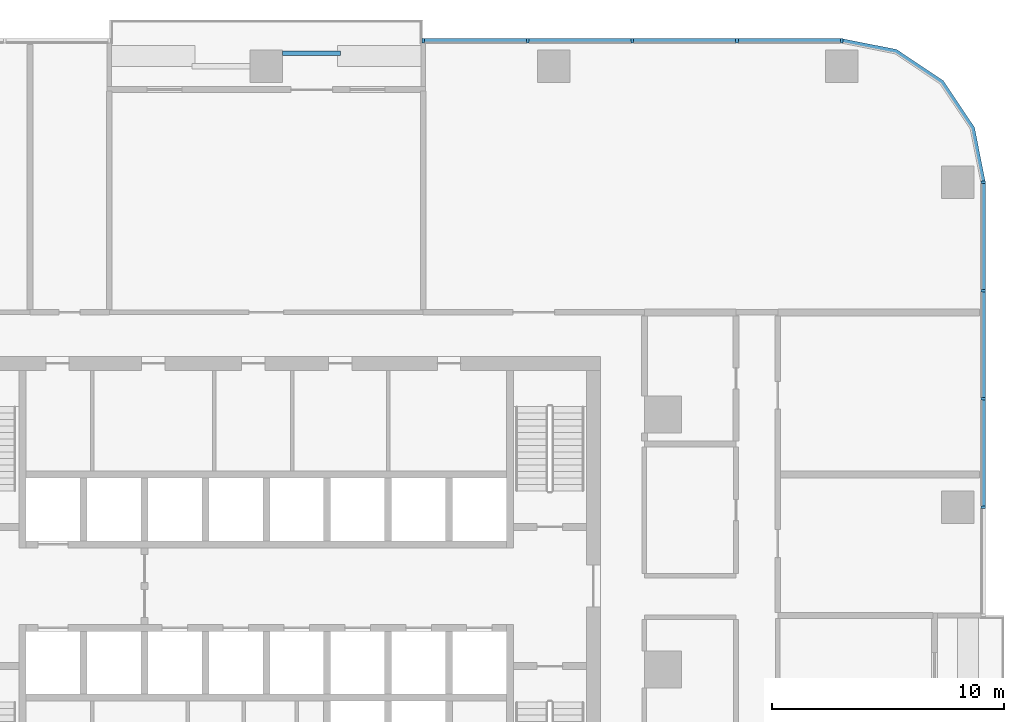
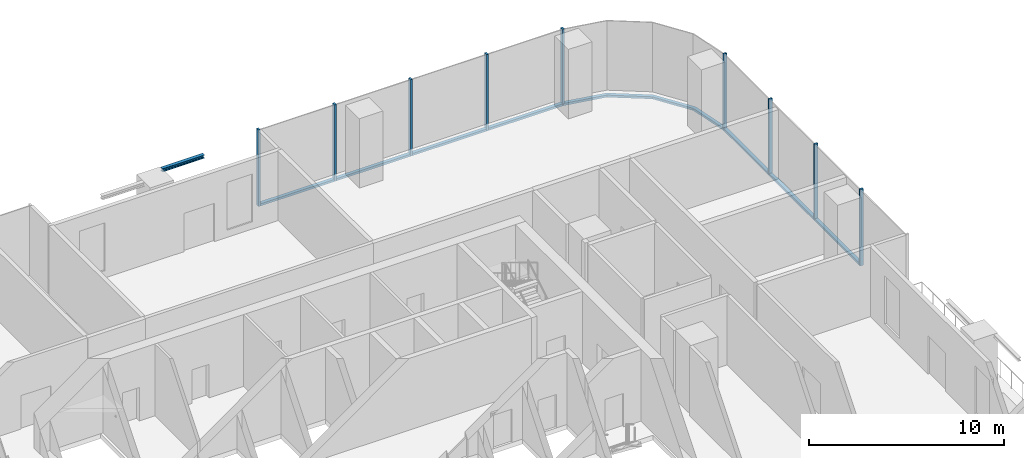
# One storey, part 5 of 14: 17 members, 1 beam, 3 elements without a shape of their own.
"""IFC4 building model written with IfcOpenShell, lengths in metres."""

from ifc_helpers import new_model, si_unit, direction, frame, origin, origin_2d, place, context, subcontext, project, spatial, polyline, rectangle, i_section, outline, extrude, material, material_profile, profile_set, type_object, element, aggregate, save


model = new_model("IFC4")

# Units and contexts
model_context = context("Model", 3, precision=1e-05, world=origin(), true_north=direction((0.0, 1.0)))
body_context = subcontext(model_context, "Body", "Model", "MODEL_VIEW")
ifc_project = project(units=[si_unit("LENGTHUNIT", "METRE"), si_unit("AREAUNIT", "SQUARE_METRE"), si_unit("VOLUMEUNIT", "CUBIC_METRE"), si_unit("PLANEANGLEUNIT", "RADIAN"), si_unit("MASSUNIT", "GRAM", prefix="KILO")], contexts=[model_context])

# Site, building, storey
site_placement = place(None, origin())
site = spatial("IfcSite", under=ifc_project, at=site_placement, CompositionType="ELEMENT")
building_placement = place(site_placement, origin())
building = spatial("IfcBuilding", under=site, at=building_placement, Name="Mopane Tessera Tower", CompositionType="ELEMENT")
storey_placement = place(building_placement, frame((0.0, 0.0, 50.199951171875)))
storey = spatial("IfcBuildingStorey", under=building, at=storey_placement, Name="L09", CompositionType="ELEMENT", Elevation=50.199951171875)

# Curtain wall, members
ifc_material_1 = material(Name="Aluminium frame", Category="aluminium")
curtain_wall_type = type_object("IfcCurtainWallType", Name="Lower tower unitised wall", PredefinedType="NOTDEFINED", material=ifc_material_1)
curtain_wall_1_placement = place(storey_placement, origin())
curtain_wall_1 = element("IfcCurtainWall", 1, at=curtain_wall_1_placement, inside=storey, type_object=curtain_wall_type, Name="e:cw:L09:E:5", PredefinedType="NOTDEFINED")
ifc_material_2 = material(Name="Aluminium frame", Category="aluminium")
ifc_material_profile_1 = material_profile(ifc_material_2, rectangle(XDim=0.110107421875, YDim=0.199951171875, at=origin_2d()))
ifc_profile_set_1 = profile_set([ifc_material_profile_1], Name="Aluminium frame")
member_type_1 = type_object("IfcMemberType", Name="Aluminium mullion 110 x 200", PredefinedType="MULLION", material=ifc_profile_set_1)
member_1_placement = place(storey_placement, frame((30.89990234375, 7.0, -0.449951171875), z_axis=(0.0, 0.0, 1.0), x_axis=(0.0, 1.0, 0.0)))
member_1 = element("IfcMember", 2, at=member_1_placement, type_object=member_type_1, Name="e:cw:L09:E:5:mu6", PredefinedType="MULLION", context=body_context, shape_type="SweptSolid", body=[
    extrude(rectangle(XDim=0.110107421875, YDim=0.199951171875, at=origin_2d()), origin(), (0.0, 0.0, 1.0), 4.800048828125),
])
member_2_placement = place(storey_placement, frame((30.89990234375, 11.666748046875, -0.449951171875), z_axis=(0.0, 0.0, 1.0), x_axis=(0.0, 1.0, 0.0)))
member_2 = element("IfcMember", 3, at=member_2_placement, type_object=member_type_1, Name="e:cw:L09:E:5:mu7", PredefinedType="MULLION", context=body_context, shape_type="SweptSolid", body=[
    extrude(rectangle(XDim=0.110107421875, YDim=0.199951171875, at=origin_2d()), origin(), (0.0, 0.0, 1.0), 4.800048828125),
])
member_3_placement = place(storey_placement, frame((30.89990234375, 16.333251953125, -0.449951171875), z_axis=(0.0, 0.0, 1.0), x_axis=(0.0, 1.0, 0.0)))
member_3 = element("IfcMember", 4, at=member_3_placement, type_object=member_type_1, Name="e:cw:L09:E:5:mu8", PredefinedType="MULLION", context=body_context, shape_type="SweptSolid", body=[
    extrude(rectangle(XDim=0.110107421875, YDim=0.199951171875, at=origin_2d()), origin(), (0.0, 0.0, 1.0), 4.800048828125),
])
member_4_placement = place(storey_placement, frame((30.89990234375, 21.0, -0.449951171875), z_axis=(0.0, 0.0, 1.0), x_axis=(0.0, 1.0, 0.0)))
member_4 = element("IfcMember", 5, at=member_4_placement, type_object=member_type_1, Name="e:cw:L09:E:5:mu9", PredefinedType="MULLION", context=body_context, shape_type="SweptSolid", body=[
    extrude(rectangle(XDim=0.110107421875, YDim=0.199951171875, at=origin_2d()), origin(), (0.0, 0.0, 1.0), 4.800048828125),
])

curtain_wall_2_placement = place(storey_placement, origin())
curtain_wall_2 = element("IfcCurtainWall", 6, at=curtain_wall_2_placement, inside=storey, type_object=curtain_wall_type, Name="e:cw:L09:N:0", PredefinedType="NOTDEFINED")
member_5_placement = place(storey_placement, frame((24.800048828125, 27.10009765625, -0.449951171875), z_axis=(0.0, 0.0, 1.0), x_axis=(-1.0, 0.0, 0.0)))
member_5 = element("IfcMember", 7, at=member_5_placement, type_object=member_type_1, Name="e:cw:L09:N:0:mu0", PredefinedType="MULLION", context=body_context, shape_type="SweptSolid", body=[
    extrude(rectangle(XDim=0.110107421875, YDim=0.199951171875, at=origin_2d()), origin(), (0.0, 0.0, 1.0), 4.800048828125),
])
member_6_placement = place(storey_placement, frame((20.291015625, 27.10009765625, -0.449951171875), z_axis=(0.0, 0.0, 1.0), x_axis=(-1.0, 0.0, 0.0)))
member_6 = element("IfcMember", 8, at=member_6_placement, type_object=member_type_1, Name="e:cw:L09:N:0:mu1", PredefinedType="MULLION", context=body_context, shape_type="SweptSolid", body=[
    extrude(rectangle(XDim=0.110107421875, YDim=0.199951171875, at=origin_2d()), origin(), (0.0, 0.0, 1.0), 4.800048828125),
])
member_7_placement = place(storey_placement, frame((15.78173828125, 27.10009765625, -0.449951171875), z_axis=(0.0, 0.0, 1.0), x_axis=(-1.0, 0.0, 0.0)))
member_7 = element("IfcMember", 9, at=member_7_placement, type_object=member_type_1, Name="e:cw:L09:N:0:mu2", PredefinedType="MULLION", context=body_context, shape_type="SweptSolid", body=[
    extrude(rectangle(XDim=0.110107421875, YDim=0.199951171875, at=origin_2d()), origin(), (0.0, 0.0, 1.0), 4.800048828125),
])
member_8_placement = place(storey_placement, frame((11.272705078125, 27.10009765625, -0.449951171875), z_axis=(0.0, 0.0, 1.0), x_axis=(-1.0, 0.0, 0.0)))
member_8 = element("IfcMember", 10, at=member_8_placement, type_object=member_type_1, Name="e:cw:L09:N:0:mu3", PredefinedType="MULLION", context=body_context, shape_type="SweptSolid", body=[
    extrude(rectangle(XDim=0.110107421875, YDim=0.199951171875, at=origin_2d()), origin(), (0.0, 0.0, 1.0), 4.800048828125),
])
member_9_placement = place(storey_placement, frame((6.763671875, 27.10009765625, -0.449951171875), z_axis=(0.0, 0.0, 1.0), x_axis=(-1.0, 0.0, 0.0)))
member_9 = element("IfcMember", 11, at=member_9_placement, type_object=member_type_1, Name="e:cw:L09:N:0:mu4", PredefinedType="MULLION", context=body_context, shape_type="SweptSolid", body=[
    extrude(rectangle(XDim=0.110107421875, YDim=0.199951171875, at=origin_2d()), origin(), (0.0, 0.0, 1.0), 4.800048828125),
])

# Member
ifc_material_3 = material(Name="Aluminium frame", Category="aluminium")
ifc_material_profile_2 = material_profile(ifc_material_3, rectangle(XDim=0.199951171875, YDim=0.139892578125, at=origin_2d()))
ifc_profile_set_2 = profile_set([ifc_material_profile_2], Name="Aluminium frame")
member_type_2 = type_object("IfcMemberType", Name="Aluminium transom 200 x 140", PredefinedType="USERDEFINED", material=ifc_profile_set_2)
member_10_placement = place(storey_placement, frame((30.89990234375, 7.054931640625, -0.3798828125), z_axis=(0.0, 1.0, 0.0), x_axis=(-1.0, 0.0, 0.0)))
member_10 = element("IfcMember", 12, at=member_10_placement, type_object=member_type_2, Name="e:cw:L09:E:5:tr6", ObjectType="TRANSOM", PredefinedType="USERDEFINED", context=body_context, shape_type="SweptSolid", body=[
    extrude(rectangle(XDim=0.199951171875, YDim=0.139892578125, at=origin_2d()), origin(), (0.0, 0.0, 1.0), 4.556640625),
])

member_11_placement = place(storey_placement, frame((30.89990234375, 11.7216796875, -0.3798828125), z_axis=(0.0, 1.0, 0.0), x_axis=(-1.0, 0.0, 0.0)))
member_11 = element("IfcMember", 13, at=member_11_placement, type_object=member_type_2, Name="e:cw:L09:E:5:tr7", ObjectType="TRANSOM", PredefinedType="USERDEFINED", context=body_context, shape_type="SweptSolid", body=[
    extrude(rectangle(XDim=0.199951171875, YDim=0.139892578125, at=origin_2d()), origin(), (0.0, 0.0, 1.0), 4.556640625),
])

member_12_placement = place(storey_placement, frame((30.89990234375, 16.388427734375, -0.3798828125), z_axis=(0.0, 1.0, 0.0), x_axis=(-1.0, 0.0, 0.0)))
member_12 = element("IfcMember", 14, at=member_12_placement, type_object=member_type_2, Name="e:cw:L09:E:5:tr8", ObjectType="TRANSOM", PredefinedType="USERDEFINED", context=body_context, shape_type="SweptSolid", body=[
    extrude(rectangle(XDim=0.199951171875, YDim=0.139892578125, at=origin_2d()), origin(), (0.0, 0.0, 1.0), 4.556640625),
])

aggregate(curtain_wall_1, [member_1, member_2, member_3, member_4, member_10, member_11, member_12])

# Curtain wall, member
curtain_wall_3_placement = place(storey_placement, origin())
curtain_wall_3 = element("IfcCurtainWall", 15, at=curtain_wall_3_placement, inside=storey, type_object=curtain_wall_type, Name="e:cw:L09:CE", PredefinedType="NOTDEFINED")
member_13_placement = place(storey_placement, frame((0.0, 0.0, -0.449951171875)))
member_13 = element("IfcMember", 16, at=member_13_placement, type_object=member_type_2, Name="e:cw:L09:CE:tr", ObjectType="TRANSOM", PredefinedType="USERDEFINED", context=body_context, shape_type="SweptSolid", body=[
    extrude(outline(polyline([(30.800048828125, 21.0), (30.34326171875, 23.296142578125), (29.042724609375, 25.24267578125), (27.09619140625, 26.543212890625), (24.800048828125, 27.0), (24.800048828125, 27.199951171875), (27.172607421875, 26.72802734375), (29.18408203125, 25.384033203125), (30.528076171875, 23.37255859375), (31.0, 21.0), (30.800048828125, 21.0)])), origin(), (0.0, 0.0, 1.0), 0.139892578125),
])
aggregate(curtain_wall_3, [member_13])

# Member
member_14_placement = place(storey_placement, frame((24.7451171875, 27.10009765625, -0.3798828125), z_axis=(-1.0, 0.0, 0.0), x_axis=(0.0, -1.0, 0.0)))
member_14 = element("IfcMember", 17, at=member_14_placement, type_object=member_type_2, Name="e:cw:L09:N:0:tr0", ObjectType="TRANSOM", PredefinedType="USERDEFINED", context=body_context, shape_type="SweptSolid", body=[
    extrude(rectangle(XDim=0.199951171875, YDim=0.139892578125, at=origin_2d()), origin(), (0.0, 0.0, 1.0), 4.399169921875),
])

member_15_placement = place(storey_placement, frame((20.23583984375, 27.10009765625, -0.3798828125), z_axis=(-1.0, 0.0, 0.0), x_axis=(0.0, -1.0, 0.0)))
member_15 = element("IfcMember", 18, at=member_15_placement, type_object=member_type_2, Name="e:cw:L09:N:0:tr1", ObjectType="TRANSOM", PredefinedType="USERDEFINED", context=body_context, shape_type="SweptSolid", body=[
    extrude(rectangle(XDim=0.199951171875, YDim=0.139892578125, at=origin_2d()), origin(), (0.0, 0.0, 1.0), 4.39892578125),
])

member_16_placement = place(storey_placement, frame((15.726806640625, 27.10009765625, -0.3798828125), z_axis=(-1.0, 0.0, 0.0), x_axis=(0.0, -1.0, 0.0)))
member_16 = element("IfcMember", 19, at=member_16_placement, type_object=member_type_2, Name="e:cw:L09:N:0:tr2", ObjectType="TRANSOM", PredefinedType="USERDEFINED", context=body_context, shape_type="SweptSolid", body=[
    extrude(rectangle(XDim=0.199951171875, YDim=0.139892578125, at=origin_2d()), origin(), (0.0, 0.0, 1.0), 4.399169921875),
])

member_17_placement = place(storey_placement, frame((11.2177734375, 27.10009765625, -0.3798828125), z_axis=(-1.0, 0.0, 0.0), x_axis=(0.0, -1.0, 0.0)))
member_17 = element("IfcMember", 20, at=member_17_placement, type_object=member_type_2, Name="e:cw:L09:N:0:tr3", ObjectType="TRANSOM", PredefinedType="USERDEFINED", context=body_context, shape_type="SweptSolid", body=[
    extrude(rectangle(XDim=0.199951171875, YDim=0.139892578125, at=origin_2d()), origin(), (0.0, 0.0, 1.0), 4.399169921875),
])

aggregate(curtain_wall_2, [member_5, member_6, member_7, member_8, member_9, member_14, member_15, member_16, member_17])

# Beam
ifc_material_4 = material(Name="Structural steel S460", Category="steel")
ifc_material_profile_3 = material_profile(ifc_material_4, i_section(OverallWidth=0.199951171875, OverallDepth=0.199951171875, WebThickness=0.009033203125, FlangeThickness=0.014892578125, FilletRadius=0.01806640625, at=origin_2d()))
ifc_profile_set_3 = profile_set([ifc_material_profile_3], Name="Structural steel S460")
beam_type = type_object("IfcBeamType", Name="Terrace trimmer beam HE 200 B", PredefinedType="BEAM", material=ifc_profile_set_3)
beam_placement = place(storey_placement, frame((0.702880859375, 26.56005859375, 4.25), z_axis=(1.0, 0.0, 0.0), x_axis=(0.0, 1.0, 0.0)))
element("IfcBeam", 21, at=beam_placement, inside=storey, type_object=beam_type, Name="Terrace trimmer beam N2 L10", PredefinedType="BEAM", context=body_context, shape_type="SweptSolid", body=[
    extrude(i_section(OverallWidth=0.199951171875, OverallDepth=0.199951171875, WebThickness=0.009033203125, FlangeThickness=0.014892578125, FilletRadius=0.01806640625, at=origin_2d()), origin(), (0.0, 0.0, 1.0), 2.5),
])

save(model, "model.ifc")
